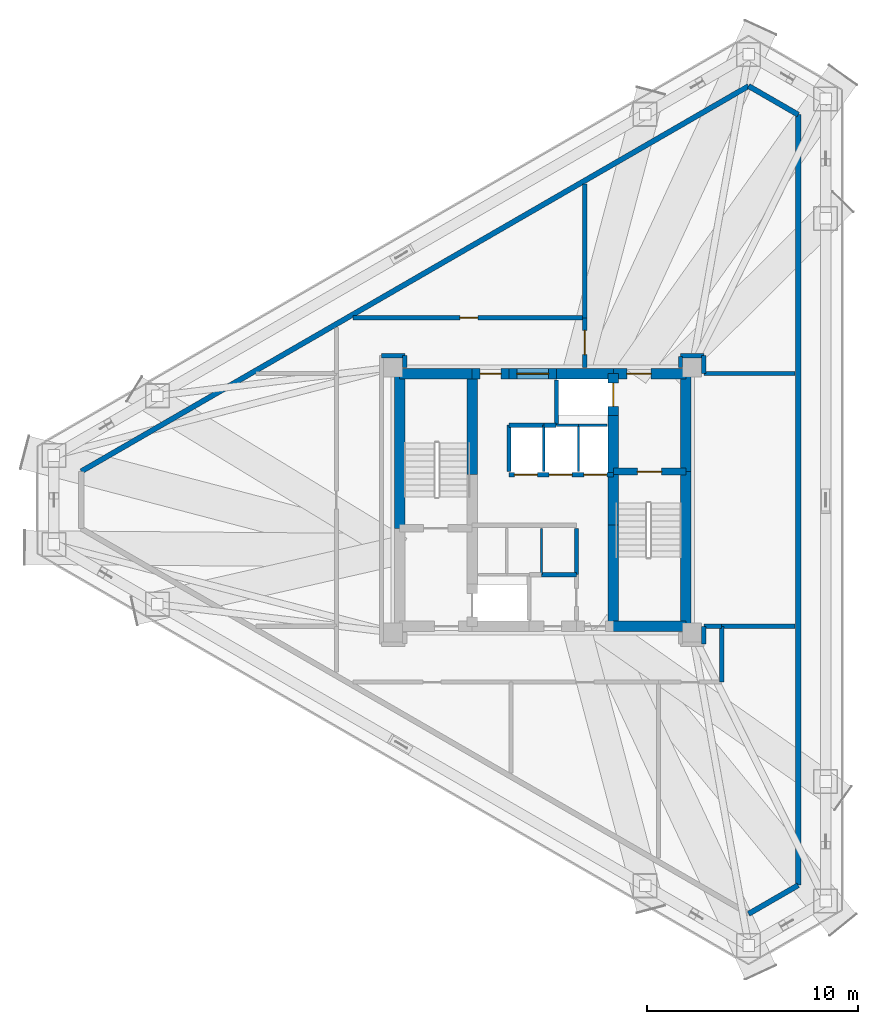
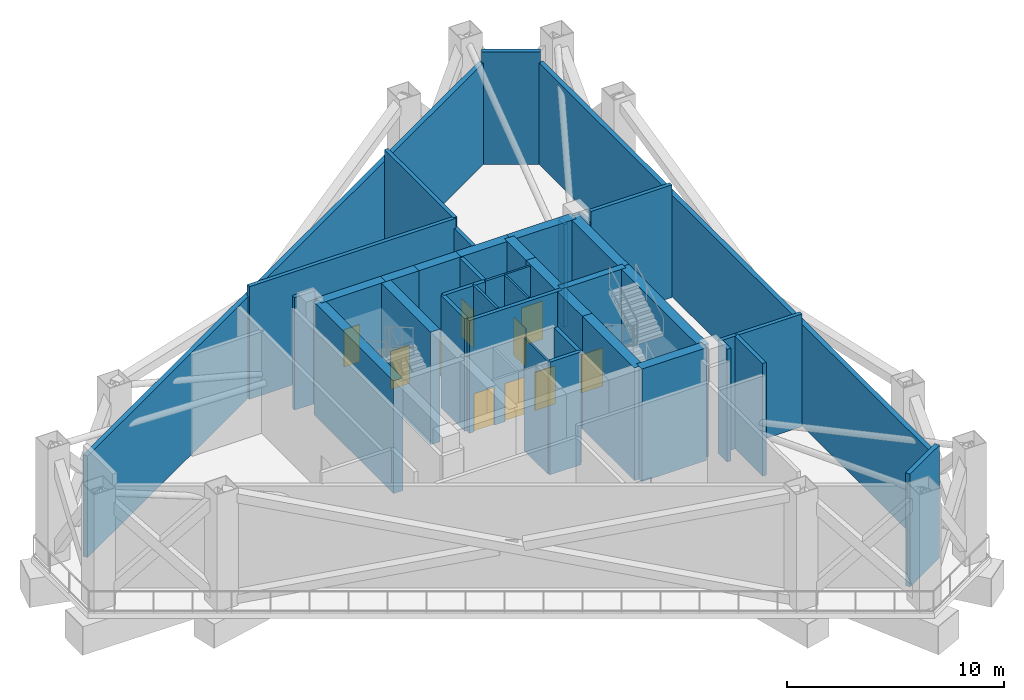
# One storey, part 4 of 7: 44 walls, 10 doors, 10 openings.
"""IFC4 building model written with IfcOpenShell, lengths in metres."""

import ifcopenshell
import ifcopenshell.guid

model = None  # the IFC model being written
_history = None  # IfcOwnerHistory: only IFC2X3 demands one
_inside = {}  # id of a spatial element -> (the spatial element, [elements in it])
_under = {}  # id of a project, library or spatial element -> (it, [spatial elements below it])
_declared = {}  # id of a project -> (the project, [libraries it declares])
_typed = {}  # id of a type object -> (the type object, [elements of that type])
_made_of = {}  # id of a material, layer set ... -> (it, [elements and type objects made of it])


def new_model(schema):
    """Start an empty IFC model of exactly this schema.

    Asked for "IFC4X3", IfcOpenShell would pick the latest addendum, in which some entities
    have other attributes; the version numbers below select the first issue.
    IFC2X3 requires an IfcOwnerHistory on every rooted entity: one is made here for all.
    """
    global model, _history
    if schema == "IFC4X3":
        model = ifcopenshell.file(schema_version=(4, 3, 0, 0))
    else:
        model = ifcopenshell.file(schema=schema)
    _inside.clear()
    _under.clear()
    _declared.clear()
    _typed.clear()
    _made_of.clear()
    _history = None
    if model.schema == "IFC2X3":
        org = make("IfcOrganization", Name="unknown")
        user = make(
            "IfcPersonAndOrganization",
            ThePerson=make("IfcPerson", FamilyName="unknown"),
            TheOrganization=org,
        )
        app = make(
            "IfcApplication",
            ApplicationDeveloper=org,
            Version="unknown",
            ApplicationFullName="unknown",
            ApplicationIdentifier="unknown",
        )
        _history = make(
            "IfcOwnerHistory",
            OwningUser=user,
            OwningApplication=app,
            ChangeAction="ADDED",
            CreationDate=0,
        )
    return model


def make(cls, **values):
    """One entity of the class cls with the attributes given. An attribute that is None is left unset."""
    return model.create_entity(
        cls, **{name: value for name, value in values.items() if value is not None}
    )


def rooted(cls, **values):
    """An entity with a GlobalId (a new one), such as an element, a storey or a relation."""
    return make(cls, GlobalId=ifcopenshell.guid.new(), OwnerHistory=_history, **values)


def si_unit(unit_type, name, prefix=None):
    """IfcSIUnit, for example si_unit("LENGTHUNIT", "METRE", prefix="MILLI")."""
    return make("IfcSIUnit", UnitType=unit_type, Prefix=prefix, Name=name)


def assignment(units):
    """IfcUnitAssignment: the units of a project."""
    return None if units is None else make("IfcUnitAssignment", Units=units)


def point(xyz):
    """IfcCartesianPoint."""
    return None if xyz is None else make("IfcCartesianPoint", Coordinates=xyz)


def direction(xyz):
    """IfcDirection."""
    return None if xyz is None else make("IfcDirection", DirectionRatios=xyz)


def frame(location, z_axis=None, x_axis=None):
    """IfcAxis2Placement3D, a coordinate frame: its origin and axes. An axis left out is left unset."""
    return make(
        "IfcAxis2Placement3D",
        Location=point(location),
        Axis=direction(z_axis),
        RefDirection=direction(x_axis),
    )


def frame_2d(location, x_axis=None):
    """IfcAxis2Placement2D, a coordinate frame in the plane: its origin and x axis."""
    return make(
        "IfcAxis2Placement2D", Location=point(location), RefDirection=direction(x_axis)
    )


def origin():
    """The frame at (0, 0, 0) with its axes left unset."""
    return frame((0.0, 0.0, 0.0))


def place(relative_to, where):
    """IfcLocalPlacement: puts the frame where relative to a parent placement (None: the world)."""
    return make(
        "IfcLocalPlacement", PlacementRelTo=relative_to, RelativePlacement=where
    )


def context(
    kind, dimensions, precision=None, world=None, true_north=None, identifier=None
):
    """IfcGeometricRepresentationContext, for example the 3D "Model" context."""
    return make(
        "IfcGeometricRepresentationContext",
        ContextIdentifier=identifier,
        ContextType=kind,
        CoordinateSpaceDimension=dimensions,
        Precision=precision,
        WorldCoordinateSystem=world,
        TrueNorth=true_north,
    )


def subcontext(parent, identifier, kind, view, scale=None):
    """IfcGeometricRepresentationSubContext, for example "Body" below "Model"."""
    return make(
        "IfcGeometricRepresentationSubContext",
        ContextIdentifier=identifier,
        ContextType=kind,
        ParentContext=parent,
        TargetScale=scale,
        TargetView=view,
    )


def project(units=None, contexts=None):
    """IfcProject with its units and contexts."""
    return rooted(
        "IfcProject",
        Name="project",
        RepresentationContexts=contexts,
        UnitsInContext=assignment(units),
    )


def spatial(cls, under=None, at=None, **own):
    """A site, building, storey or space (cls), placed at a placement, below another one or the project."""
    s = rooted(cls, ObjectPlacement=at, **own)
    if under is not None:
        _under.setdefault(under.id(), (under, []))[1].append(s)
    return s


def profile(cls, at=None, kind="AREA", **sizes):
    """A parametric profile (cls). Its sizes go by their IFC names, for example OverallWidth=200.0."""
    return make(cls, ProfileType=kind, Position=at, **sizes)


def rectangle(**sizes):
    """IfcRectangleProfileDef."""
    return profile("IfcRectangleProfileDef", **sizes)


def extrude(swept, where, along, depth):
    """IfcExtrudedAreaSolid: the profile swept, set in the frame where, extruded along a direction by depth."""
    return make(
        "IfcExtrudedAreaSolid",
        SweptArea=swept,
        Position=where,
        ExtrudedDirection=direction(along),
        Depth=depth,
    )


def shape(context_of_items, identifier, shape_type, items):
    """IfcShapeRepresentation: the items that make up one representation, for example the "Body"."""
    return make(
        "IfcShapeRepresentation",
        ContextOfItems=context_of_items,
        RepresentationIdentifier=identifier,
        RepresentationType=shape_type,
        Items=items,
    )


def material(Name=None, Category=None):
    """IfcMaterial."""
    return make("IfcMaterial", Name=Name, Category=Category)


def layer(
    of_material, thickness, ventilated=None, Name=None, Category=None, Priority=None
):
    """IfcMaterialLayer: one layer of a wall or slab, of a material (None: an air gap)."""
    return make(
        "IfcMaterialLayer",
        Material=of_material,
        LayerThickness=thickness,
        IsVentilated=ventilated,
        Name=Name,
        Category=Category,
        Priority=Priority,
    )


def layer_set(layers, Name=None):
    """IfcMaterialLayerSet."""
    return make("IfcMaterialLayerSet", MaterialLayers=layers, LayerSetName=Name)


def made_of(thing, what):
    """Note that an element or type object is made of a material, layer set ...; save() writes the relation."""
    if what is not None:
        _made_of.setdefault(what.id(), (what, []))[1].append(thing)
    return thing


def type_object(cls, material=None, **own):
    """A type object (cls), such as IfcWallType, which elements share."""
    return made_of(rooted(cls, **own), material)


def element(
    cls,
    number,
    at=None,
    inside=None,
    cuts=None,
    type_object=None,
    material=None,
    context=None,
    identifier="Body",
    shape_type=None,
    held_by="IfcProductDefinitionShape",
    body=None,
    shapes=None,
    **own,
):
    """One element of the class cls, such as IfcWall. Its Tag is "e" and its number.

    at: its placement. inside: the storey or other place that contains it. cuts: it is an
    opening in that element (IfcRelVoidsElement). A single representation is given by context,
    identifier, shape_type and body (its items); several are given by shapes. held_by: the class
    of the entity that holds the representations. save() writes the other relations.
    """
    e = rooted(cls, Tag="e%d" % number, ObjectPlacement=at, **own)
    if body is not None:
        shapes = [shape(context, identifier, shape_type, body)]
    if shapes is not None:
        e.Representation = make(held_by, Representations=shapes)
    if inside is not None:
        _inside.setdefault(inside.id(), (inside, []))[1].append(e)
    if cuts is not None:
        rooted(
            "IfcRelVoidsElement", RelatingBuildingElement=cuts, RelatedOpeningElement=e
        )
    if type_object is not None:
        _typed.setdefault(type_object.id(), (type_object, []))[1].append(e)
    return made_of(e, material)


def fill(opening, filler):
    """IfcRelFillsElement: the door or window that sits in an opening."""
    return rooted(
        "IfcRelFillsElement",
        RelatingOpeningElement=opening,
        RelatedBuildingElement=filler,
    )


def aggregate(whole, parts):
    """IfcRelAggregates: a whole, such as a stair, and the parts it consists of."""
    return rooted("IfcRelAggregates", RelatingObject=whole, RelatedObjects=parts)


def save(model, path):
    """Write the relations noted so far, then the file.

    IfcRelAggregates (storeys below a building ...), IfcRelContainedInSpatialStructure (elements
    in a storey), IfcRelDefinesByType, IfcRelAssociatesMaterial and IfcRelDeclares: one each for
    every whole, place, type object, material and project.
    """
    for whole, parts in _under.values():
        aggregate(whole, parts)
    for where, things in _inside.values():
        rooted(
            "IfcRelContainedInSpatialStructure",
            RelatedElements=things,
            RelatingStructure=where,
        )
    for kind, things in _typed.values():
        rooted("IfcRelDefinesByType", RelatedObjects=things, RelatingType=kind)
    for what, things in _made_of.values():
        rooted("IfcRelAssociatesMaterial", RelatedObjects=things, RelatingMaterial=what)
    for by, libraries in _declared.values():
        rooted("IfcRelDeclares", RelatingContext=by, RelatedDefinitions=libraries)
    model.write(path)


model = new_model("IFC4")

# Units and contexts
model_context = context("Model", 3, precision=1e-05, world=origin(), true_north=direction((0.0, 1.0)))
body_context = subcontext(model_context, "Body", "Model", "MODEL_VIEW")
ifc_project = project(units=[si_unit("LENGTHUNIT", "METRE"), si_unit("AREAUNIT", "SQUARE_METRE"), si_unit("VOLUMEUNIT", "CUBIC_METRE"), si_unit("PLANEANGLEUNIT", "RADIAN"), si_unit("MASSUNIT", "GRAM", prefix="KILO")], contexts=[model_context])

# Site, building, storey
site_placement = place(None, origin())
site = spatial("IfcSite", under=ifc_project, at=site_placement, CompositionType="ELEMENT")
building_placement = place(site_placement, origin())
building = spatial("IfcBuilding", under=site, at=building_placement, Name="Mersakhor Tower and Convention Hall", CompositionType="ELEMENT")
storey_placement = place(building_placement, frame((0.0, 0.0, 66.89990234375)))
storey = spatial("IfcBuildingStorey", under=building, at=storey_placement, Name="L18", CompositionType="ELEMENT", Elevation=66.89990234375)

# Walls
ifc_material_1 = material(Name="Precast concrete C40/50", Category="concrete")
ifc_layer_1 = layer(ifc_material_1, 0.25)
ifc_layer_set_1 = layer_set([ifc_layer_1], Name="Precast concrete C40/50")
wall_type_1 = type_object("IfcWallType", Name="WL-EXT-250", PredefinedType="SOLIDWALL", material=ifc_layer_set_1)
wall_1_placement = place(storey_placement, frame((7.086669921875, 28.110107421875, 0.0), z_axis=(0.0, 0.0, 1.0), x_axis=(0.866023716119, 0.500002923111, 0.0)))
element("IfcWall", 1, at=wall_1_placement, inside=storey, type_object=wall_type_1, Name="L18 Set-Back Refuge and Plant Enclosure Wall 1", PredefinedType="SOLIDWALL", context=body_context, shape_type="SweptSolid", body=[
    extrude(rectangle(XDim=36.594970703125, YDim=0.25, at=frame_2d((18.29736328125, 0.0))), origin(), (0.0, 0.0, 1.0), 5.722900390625),
])
wall_2_placement = place(storey_placement, frame((38.77880859375, 46.40771484375, 0.0), z_axis=(0.0, 0.0, 1.0), x_axis=(0.865980815662, -0.500077220942, 0.0)))
element("IfcWall", 2, at=wall_2_placement, inside=storey, type_object=wall_type_1, Name="L18 Set-Back Refuge and Plant Enclosure Wall 2", PredefinedType="SOLIDWALL", context=body_context, shape_type="SweptSolid", body=[
    extrude(rectangle(XDim=2.72021484375, YDim=0.25, at=frame_2d((1.360107421875, 0.0))), origin(), (0.0, 0.0, 1.0), 6.35009765625),
])
wall_3_placement = place(storey_placement, frame((41.134521484375, 45.04736328125, 0.0), z_axis=(0.0, 0.0, 1.0), x_axis=(0.0, -1.0, 0.0)))
element("IfcWall", 3, at=wall_3_placement, inside=storey, type_object=wall_type_1, Name="L18 Set-Back Refuge and Plant Enclosure Wall 3", PredefinedType="SOLIDWALL", context=body_context, shape_type="SweptSolid", body=[
    extrude(rectangle(XDim=36.5947265625, YDim=0.25, at=frame_2d((18.29736328125, 0.0))), origin(), (0.0, 0.0, 1.0), 5.722900390625),
])
wall_4_placement = place(storey_placement, frame((41.134521484375, 8.45263671875, 0.0), z_axis=(0.0, 0.0, 1.0), x_axis=(-0.865980815662, -0.500077220942, 0.0)))
element("IfcWall", 4, at=wall_4_placement, inside=storey, type_object=wall_type_1, Name="L18 Set-Back Refuge and Plant Enclosure Wall 4", PredefinedType="SOLIDWALL", context=body_context, shape_type="SweptSolid", body=[
    extrude(rectangle(XDim=2.72021484375, YDim=0.25, at=frame_2d((1.360107421875, 0.0))), origin(), (0.0, 0.0, 1.0), 6.35009765625),
])
ifc_material_2 = material(Name="Lightweight gypsum partition", Category="other")
ifc_layer_2 = layer(ifc_material_2, 0.10009765625)
ifc_layer_set_2 = layer_set([ifc_layer_2], Name="Lightweight gypsum partition")
wall_type_2 = type_object("IfcWallType", Name="WL-PRT-100", PredefinedType="PARTITIONING", material=ifc_layer_set_2)
wall_5_placement = place(storey_placement, frame((32.050048828125, 30.300048828125, 0.0), z_axis=(0.0, 0.0, 1.0), x_axis=(-1.0, 0.0, 0.0)))
element("IfcWall", 5, at=wall_5_placement, inside=storey, type_object=wall_type_2, Name="L18 Interior Partition Wall P-004", PredefinedType="PARTITIONING", context=body_context, shape_type="SweptSolid", body=[
    extrude(rectangle(XDim=1.35009765625, YDim=0.10009765625, at=frame_2d((0.675048828125, 0.0))), origin(), (0.0, 0.0, 1.0), 6.35009765625),
])
for number, where, z_axis, x_axis, name in (
    (6, (28.949951171875, 25.39990234375, 0.0), (0.0, 0.0, 1.0), (0.0, -1.0, 0.0), "L18 Interior Partition Wall P-008"),
    (7, (30.699951171875, 30.300048828125, 0.0), (0.0, 0.0, 1.0), (0.0, -1.0, 0.0), "L18 Interior Partition Wall P-016"),
):
    element("IfcWall", number, at=place(storey_placement, frame(where, z_axis=z_axis, x_axis=x_axis)), inside=storey, type_object=wall_type_2, Name=name, PredefinedType="PARTITIONING", context=body_context, shape_type="SweptSolid", body=[
        extrude(rectangle(XDim=2.199951171875, YDim=0.10009765625, at=frame_2d((1.10009765625, 0.0))), origin(), (0.0, 0.0, 1.0), 6.35009765625),
    ])
ifc_material_3 = material(Name="Gypsum board acoustic partition", Category="other")
ifc_layer_3 = layer(ifc_material_3, 0.125)
ifc_layer_set_3 = layer_set([ifc_layer_3], Name="Gypsum board acoustic partition")
wall_type_3 = type_object("IfcWallType", Name="WL-PRT-125", PredefinedType="PARTITIONING", material=ifc_layer_set_3)
wall_6_placement = place(storey_placement, frame((30.699951171875, 30.300048828125, 0.0), z_axis=(0.0, 0.0, 1.0), x_axis=(-1.0, 0.0, 0.0)))
element("IfcWall", 8, at=wall_6_placement, inside=storey, type_object=wall_type_3, Name="L18 Interior Partition Wall P-005", PredefinedType="PARTITIONING", context=body_context, shape_type="SweptSolid", body=[
    extrude(rectangle(XDim=1.050048828125, YDim=0.125, at=frame_2d((0.52490234375, 0.0))), origin(), (0.0, 0.0, 1.0), 6.35009765625),
])
wall_7_placement = place(storey_placement, frame((29.050048828125, 30.300048828125, 0.0), z_axis=(0.0, 0.0, 1.0), x_axis=(0.0, -1.0, 0.0)))
element("IfcWall", 9, at=wall_7_placement, inside=storey, type_object=wall_type_3, Name="L18 Interior Partition Wall P-013", PredefinedType="PARTITIONING", context=body_context, shape_type="SweptSolid", body=[
    extrude(rectangle(XDim=2.199951171875, YDim=0.125, at=frame_2d((1.10009765625, 0.0))), origin(), (0.0, 0.0, 1.0), 6.35009765625),
])

# Wall, openings, doors
ifc_material_4 = material(Name="Acoustic concrete blockwork and gypsum board", Category="masonry")
ifc_layer_4 = layer(ifc_material_4, 0.199951171875)
ifc_layer_set_4 = layer_set([ifc_layer_4], Name="Acoustic concrete blockwork and gypsum board")
wall_type_4 = type_object("IfcWallType", Name="WL-PRT-200", PredefinedType="PARTITIONING", material=ifc_layer_set_4)
wall_8_placement = place(storey_placement, frame((27.39990234375, 27.949951171875, 0.0), z_axis=(0.0, 0.0, 1.0), x_axis=(1.0, 0.0, 0.0)))
wall_8 = element("IfcWall", 10, at=wall_8_placement, inside=storey, type_object=wall_type_4, Name="L18 Low-Rise Lift Bank Front Wall", PredefinedType="PARTITIONING", context=body_context, shape_type="SweptSolid", body=[
    extrude(rectangle(XDim=4.9501953125, YDim=0.199951171875, at=frame_2d((2.47509765625, 0.0))), origin(), (0.0, 0.0, 1.0), 6.35009765625),
])
opening_1_placement = place(wall_8_placement, frame((0.25, 0.0, 0.0)))
opening_1 = element("IfcOpeningElement", 11, at=opening_1_placement, cuts=wall_8, Name="Opening LD-P1", PredefinedType="OPENING", context=body_context, shape_type="SweptSolid", body=[
    extrude(rectangle(XDim=1.10009765625, YDim=2.14990234375, at=frame_2d((0.550048828125, 1.074951171875))), frame((0.0, 0.10986328125, 0.0), z_axis=(0.0, -1.0, 0.0), x_axis=(1.0, 0.0, 0.0)), (0.0, 0.0, 1.0), 0.219970703125),
])
opening_2_placement = place(wall_8_placement, frame((1.89990234375, 0.0, 0.0)))
opening_2 = element("IfcOpeningElement", 12, at=opening_2_placement, cuts=wall_8, Name="Opening LD-P2", PredefinedType="OPENING", context=body_context, shape_type="SweptSolid", body=[
    extrude(rectangle(XDim=1.10009765625, YDim=2.14990234375, at=frame_2d((0.550048828125, 1.074951171875))), frame((0.0, 0.10986328125, 0.0), z_axis=(0.0, -1.0, 0.0), x_axis=(1.0, 0.0, 0.0)), (0.0, 0.0, 1.0), 0.219970703125),
])
opening_3_placement = place(wall_8_placement, frame((3.550048828125, 0.0, 0.0)))
opening_3 = element("IfcOpeningElement", 13, at=opening_3_placement, cuts=wall_8, Name="Opening LD-P3", PredefinedType="OPENING", context=body_context, shape_type="SweptSolid", body=[
    extrude(rectangle(XDim=1.10009765625, YDim=2.14990234375, at=frame_2d((0.550048828125, 1.074951171875))), frame((0.0, 0.10986328125, 0.0), z_axis=(0.0, -1.0, 0.0), x_axis=(1.0, 0.0, 0.0)), (0.0, 0.0, 1.0), 0.219970703125),
])
ifc_material_5 = material(Name="Fire-rated brushed stainless steel sliding landing door", Category="steel")
door_type_1 = type_object("IfcDoorType", Name="DR-LIFT-SLD-110x215", OperationType="NOTDEFINED", PredefinedType="DOOR", material=ifc_material_5)
door_1_placement = place(opening_1_placement, origin())
door_1 = element("IfcDoor", 14, at=door_1_placement, inside=storey, type_object=door_type_1, Name="L18 Lift Landing Door LD-P1", OperationType="SLIDING_TO_LEFT", OverallHeight=2.14990234375, OverallWidth=1.10009765625, PredefinedType="DOOR", context=body_context, shape_type="SweptSolid", body=[
    extrude(rectangle(XDim=1.10009765625, YDim=2.14990234375, at=frame_2d((0.550048828125, 1.074951171875))), frame((0.0, 0.02490234375, 0.0), z_axis=(0.0, -1.0, 0.0), x_axis=(1.0, 0.0, 0.0)), (0.0, 0.0, 1.0), 0.050048828125),
])
fill(opening_1, door_1)
door_2_placement = place(opening_2_placement, origin())
door_2 = element("IfcDoor", 15, at=door_2_placement, inside=storey, type_object=door_type_1, Name="L18 Lift Landing Door LD-P2", OperationType="SLIDING_TO_LEFT", OverallHeight=2.14990234375, OverallWidth=1.10009765625, PredefinedType="DOOR", context=body_context, shape_type="SweptSolid", body=[
    extrude(rectangle(XDim=1.10009765625, YDim=2.14990234375, at=frame_2d((0.550048828125, 1.074951171875))), frame((0.0, 0.02490234375, 0.0), z_axis=(0.0, -1.0, 0.0), x_axis=(1.0, 0.0, 0.0)), (0.0, 0.0, 1.0), 0.050048828125),
])
fill(opening_2, door_2)
door_3_placement = place(opening_3_placement, origin())
door_3 = element("IfcDoor", 16, at=door_3_placement, inside=storey, type_object=door_type_1, Name="L18 Lift Landing Door LD-P3", OperationType="SLIDING_TO_LEFT", OverallHeight=2.14990234375, OverallWidth=1.10009765625, PredefinedType="DOOR", context=body_context, shape_type="SweptSolid", body=[
    extrude(rectangle(XDim=1.10009765625, YDim=2.14990234375, at=frame_2d((0.550048828125, 1.074951171875))), frame((0.0, 0.02490234375, 0.0), z_axis=(0.0, -1.0, 0.0), x_axis=(1.0, 0.0, 0.0)), (0.0, 0.0, 1.0), 0.050048828125),
])
fill(opening_3, door_3)

# Walls
wall_9_placement = place(storey_placement, frame((29.64990234375, 30.300048828125, 0.0), z_axis=(0.0, 0.0, 1.0), x_axis=(0.0, 1.0, 0.0)))
element("IfcWall", 17, at=wall_9_placement, inside=storey, type_object=wall_type_4, Name="L18 Interior Partition Wall P-006", PredefinedType="PARTITIONING", context=body_context, shape_type="SweptSolid", body=[
    extrude(rectangle(XDim=2.14990234375, YDim=0.199951171875, at=frame_2d((1.074951171875, 0.0))), origin(), (0.0, 0.0, 1.0), 6.35009765625),
])
wall_10_placement = place(storey_placement, frame((30.60009765625, 25.39990234375, 0.0), z_axis=(0.0, 0.0, 1.0), x_axis=(0.0, -1.0, 0.0)))
element("IfcWall", 18, at=wall_10_placement, inside=storey, type_object=wall_type_4, Name="L18 Interior Partition Wall P-010", PredefinedType="PARTITIONING", context=body_context, shape_type="SweptSolid", body=[
    extrude(rectangle(XDim=2.199951171875, YDim=0.199951171875, at=frame_2d((1.10009765625, 0.0))), origin(), (0.0, 0.0, 1.0), 6.35009765625),
])
for number, where, z_axis, x_axis, name in (
    (19, (30.60009765625, 23.199951171875, 0.0), (0.0, 0.0, 1.0), (-1.0, 0.0, 0.0), "L18 Interior Partition Wall P-011"),
    (20, (27.39990234375, 30.300048828125, 0.0), (0.0, 0.0, 1.0), (1.0, 0.0, 0.0), "L18 Interior Partition Wall P-012"),
):
    element("IfcWall", number, at=place(storey_placement, frame(where, z_axis=z_axis, x_axis=x_axis)), inside=storey, type_object=wall_type_4, Name=name, PredefinedType="PARTITIONING", context=body_context, shape_type="SweptSolid", body=[
        extrude(rectangle(XDim=1.650146484375, YDim=0.199951171875, at=frame_2d((0.8251953125, 0.0))), origin(), (0.0, 0.0, 1.0), 6.35009765625),
    ])
wall_11_placement = place(storey_placement, frame((27.39990234375, 28.10009765625, 0.0), z_axis=(0.0, 0.0, 1.0), x_axis=(0.0, 1.0, 0.0)))
element("IfcWall", 21, at=wall_11_placement, inside=storey, type_object=wall_type_4, Name="L18 Interior Partition Wall P-014", PredefinedType="PARTITIONING", context=body_context, shape_type="SweptSolid", body=[
    extrude(rectangle(XDim=2.199951171875, YDim=0.199951171875, at=frame_2d((1.10009765625, 0.0))), origin(), (0.0, 0.0, 1.0), 6.35009765625),
])
wall_12_placement = place(storey_placement, frame((29.050048828125, 30.300048828125, 0.0), z_axis=(0.0, 0.0, 1.0), x_axis=(1.0, 0.0, 0.0)))
element("IfcWall", 22, at=wall_12_placement, inside=storey, type_object=wall_type_4, Name="L18 Interior Partition Wall P-015", PredefinedType="PARTITIONING", context=body_context, shape_type="SweptSolid", body=[
    extrude(rectangle(XDim=0.570068359375, YDim=0.199951171875, at=frame_2d((0.28515625, 0.0))), origin(), (0.0, 0.0, 1.0), 6.35009765625),
])

# Wall, opening, door
wall_13_placement = place(storey_placement, frame((19.98388671875, 35.39990234375, 0.0), z_axis=(0.0, 0.0, 1.0), x_axis=(1.0, 0.0, 0.0)))
wall_13 = element("IfcWall", 23, at=wall_13_placement, inside=storey, type_object=wall_type_4, Name="L18 Interior Partition Wall P-018", PredefinedType="PARTITIONING", context=body_context, shape_type="SweptSolid", body=[
    extrude(rectangle(XDim=11.01611328125, YDim=0.199951171875, at=frame_2d((5.508056640625, 0.0))), origin(), (0.0, 0.0, 1.0), 6.35009765625),
])
opening_4_placement = place(wall_13_placement, frame((5.0830078125, 0.0, 0.0)))
opening_4 = element("IfcOpeningElement", 24, at=opening_4_placement, cuts=wall_13, Name="Opening SVD-01", PredefinedType="OPENING", context=body_context, shape_type="SweptSolid", body=[
    extrude(rectangle(XDim=0.85009765625, YDim=2.10009765625, at=frame_2d((0.425048828125, 1.050048828125))), frame((0.0, 0.10986328125, 0.0), z_axis=(0.0, -1.0, 0.0), x_axis=(1.0, 0.0, 0.0)), (0.0, 0.0, 1.0), 0.219970703125),
])
ifc_material_6 = material(Name="Fire-rated hardwood leaf and painted steel frame", Category="steel")
door_type_2 = type_object("IfcDoorType", Name="DR-INT-SVC-085x210", OperationType="NOTDEFINED", PredefinedType="DOOR", material=ifc_material_6)
door_4_placement = place(opening_4_placement, origin())
door_4 = element("IfcDoor", 25, at=door_4_placement, inside=storey, type_object=door_type_2, Name="L18 L18 Mechanical Plant and Refuge Corridor to Zone Air Handling Unit Plant Room Door", OperationType="SINGLE_SWING_LEFT", OverallHeight=2.10009765625, OverallWidth=0.85009765625, PredefinedType="DOOR", context=body_context, shape_type="SweptSolid", body=[
    extrude(rectangle(XDim=0.85009765625, YDim=2.10009765625, at=frame_2d((0.425048828125, 1.050048828125))), frame((0.0, 0.02490234375, 0.0), z_axis=(0.0, -1.0, 0.0), x_axis=(1.0, 0.0, 0.0)), (0.0, 0.0, 1.0), 0.050048828125),
])
fill(opening_4, door_4)

wall_14_placement = place(storey_placement, frame((31.0, 35.39990234375, 0.0), z_axis=(0.0, 0.0, 1.0), x_axis=(0.0, -1.0, 0.0)))
wall_14 = element("IfcWall", 26, at=wall_14_placement, inside=storey, type_object=wall_type_4, Name="L18 Interior Partition Wall P-019", PredefinedType="PARTITIONING", context=body_context, shape_type="SweptSolid", body=[
    extrude(rectangle(XDim=2.349853515625, YDim=0.199951171875, at=frame_2d((1.1748046875, 0.0))), origin(), (0.0, 0.0, 1.0), 5.79833984375),
])
opening_5_placement = place(wall_14_placement, frame((0.60009765625, 0.0, 0.0)))
opening_5 = element("IfcOpeningElement", 27, at=opening_5_placement, cuts=wall_14, Name="Opening SD-01", PredefinedType="OPENING", context=body_context, shape_type="SweptSolid", body=[
    extrude(rectangle(XDim=1.14990234375, YDim=2.14990234375, at=frame_2d((0.574951171875, 1.074951171875))), frame((0.0, 0.10986328125, 0.0), z_axis=(0.0, -1.0, 0.0), x_axis=(1.0, 0.0, 0.0)), (0.0, 0.0, 1.0), 0.219970703125),
])
ifc_material_7 = material(Name="Fire-rated hardwood leaf and painted steel frame", Category="steel")
door_type_3 = type_object("IfcDoorType", Name="DR-INT-STAIR-115x215", OperationType="NOTDEFINED", PredefinedType="DOOR", material=ifc_material_7)
door_5_placement = place(opening_5_placement, origin())
door_5 = element("IfcDoor", 28, at=door_5_placement, inside=storey, type_object=door_type_3, Name="L18 L18 Mechanical Plant and Refuge Corridor to Pressurised Fire Refuge Area North Door", OperationType="SINGLE_SWING_RIGHT", OverallHeight=2.14990234375, OverallWidth=1.14990234375, PredefinedType="DOOR", context=body_context, shape_type="SweptSolid", body=[
    extrude(rectangle(XDim=1.14990234375, YDim=2.14990234375, at=frame_2d((0.574951171875, 1.074951171875))), frame((0.0, 0.02490234375, 0.0), z_axis=(0.0, -1.0, 0.0), x_axis=(1.0, 0.0, 0.0)), (0.0, 0.0, 1.0), 0.050048828125),
])
fill(opening_5, door_5)

# Walls
wall_15_placement = place(storey_placement, frame((22.449951171875, 33.050048828125, 0.0), z_axis=(0.0, 0.0, 1.0), x_axis=(0.0, 1.0, 0.0)))
element("IfcWall", 29, at=wall_15_placement, inside=storey, type_object=wall_type_4, Name="L18 Interior Partition Wall P-020", PredefinedType="PARTITIONING", context=body_context, shape_type="SweptSolid", body=[
    extrude(rectangle(XDim=0.550048828125, YDim=0.199951171875, at=frame_2d((0.27490234375, 0.0))), origin(), (0.0, 0.0, 1.0), 5.79833984375),
])
wall_16_placement = place(storey_placement, frame((22.449951171875, 33.60009765625, 0.0), z_axis=(0.0, 0.0, 1.0), x_axis=(-1.0, 0.0, 0.0)))
element("IfcWall", 30, at=wall_16_placement, inside=storey, type_object=wall_type_4, Name="L18 Interior Partition Wall P-021", PredefinedType="PARTITIONING", context=body_context, shape_type="SweptSolid", body=[
    extrude(rectangle(XDim=1.099853515625, YDim=0.199951171875, at=frame_2d((0.5498046875, 0.0))), origin(), (0.0, 0.0, 1.0), 6.35009765625),
])
for number, where, z_axis, x_axis, name in (
    (31, (36.64990234375, 19.89990234375, 0.0), (0.0, 0.0, 1.0), (0.0, 1.0, 0.0), "L18 Interior Partition Wall P-027"),
    (32, (36.64990234375, 20.75, 0.0), (0.0, 0.0, 1.0), (1.0, 0.0, 0.0), "L18 Interior Partition Wall P-028"),
):
    element("IfcWall", number, at=place(storey_placement, frame(where, z_axis=z_axis, x_axis=x_axis)), inside=storey, type_object=wall_type_4, Name=name, PredefinedType="PARTITIONING", context=body_context, shape_type="SweptSolid", body=[
        extrude(rectangle(XDim=0.85009765625, YDim=0.199951171875, at=frame_2d((0.425048828125, 0.0))), origin(), (0.0, 0.0, 1.0), 6.35009765625),
    ])
wall_17_placement = place(storey_placement, frame((37.5, 20.75, 0.0), z_axis=(0.0, 0.0, 1.0), x_axis=(0.0, -1.0, 0.0)))
element("IfcWall", 33, at=wall_17_placement, inside=storey, type_object=wall_type_4, Name="L18 Interior Partition Wall P-029", PredefinedType="PARTITIONING", context=body_context, shape_type="SweptSolid", body=[
    extrude(rectangle(XDim=2.64990234375, YDim=0.199951171875, at=frame_2d((1.324951171875, 0.0))), origin(), (0.0, 0.0, 1.0), 6.35009765625),
])
wall_18_placement = place(storey_placement, frame((36.64990234375, 32.75, 0.0), z_axis=(0.0, 0.0, 1.0), x_axis=(0.0, 1.0, 0.0)))
element("IfcWall", 34, at=wall_18_placement, inside=storey, type_object=wall_type_4, Name="L18 Interior Partition Wall P-036", PredefinedType="PARTITIONING", context=body_context, shape_type="SweptSolid", body=[
    extrude(rectangle(XDim=0.85009765625, YDim=0.199951171875, at=frame_2d((0.425048828125, 0.0))), origin(), (0.0, 0.0, 1.0), 5.722900390625),
])
wall_19_placement = place(storey_placement, frame((36.64990234375, 33.60009765625, 0.0), z_axis=(0.0, 0.0, 1.0), x_axis=(-1.0, 0.0, 0.0)))
element("IfcWall", 35, at=wall_19_placement, inside=storey, type_object=wall_type_4, Name="L18 Interior Partition Wall P-037", PredefinedType="PARTITIONING", context=body_context, shape_type="SweptSolid", body=[
    extrude(rectangle(XDim=1.099853515625, YDim=0.199951171875, at=frame_2d((0.5498046875, 0.0))), origin(), (0.0, 0.0, 1.0), 5.722900390625),
])
wall_20_placement = place(storey_placement, frame((35.550048828125, 33.570068359375, 0.0), z_axis=(0.0, 0.0, 1.0), x_axis=(0.0, -1.0, 0.0)))
element("IfcWall", 36, at=wall_20_placement, inside=storey, type_object=wall_type_4, Name="L18 Interior Partition Wall P-038", PredefinedType="PARTITIONING", context=body_context, shape_type="SweptSolid", body=[
    extrude(rectangle(XDim=0.52001953125, YDim=0.199951171875, at=frame_2d((0.260009765625, 0.0))), origin(), (0.0, 0.0, 1.0), 5.79833984375),
])
wall_21_placement = place(storey_placement, frame((31.0, 35.39990234375, 0.0), z_axis=(0.0, 0.0, 1.0), x_axis=(0.0, 1.0, 0.0)))
element("IfcWall", 37, at=wall_21_placement, inside=storey, type_object=wall_type_4, Name="L18 Interior Partition Wall P-039", PredefinedType="PARTITIONING", context=body_context, shape_type="SweptSolid", body=[
    extrude(rectangle(XDim=6.344482421875, YDim=0.199951171875, at=frame_2d((3.17236328125, 0.0))), origin(), (0.0, 0.0, 1.0), 6.35009765625),
])
wall_22_placement = place(storey_placement, frame((40.985595703125, 32.75, 0.0), z_axis=(0.0, 0.0, 1.0), x_axis=(-1.0, 0.0, 0.0)))
element("IfcWall", 38, at=wall_22_placement, inside=storey, type_object=wall_type_4, Name="L18 Interior Partition Wall P-040", PredefinedType="PARTITIONING", context=body_context, shape_type="SweptSolid", body=[
    extrude(rectangle(XDim=4.335693359375, YDim=0.199951171875, at=frame_2d((2.16796875, 0.0))), origin(), (0.0, 0.0, 1.0), 6.35009765625),
])
wall_23_placement = place(storey_placement, frame((37.5, 20.75, 0.0), z_axis=(0.0, 0.0, 1.0), x_axis=(1.0, 0.0, 0.0)))
element("IfcWall", 39, at=wall_23_placement, inside=storey, type_object=wall_type_4, Name="L18 Interior Partition Wall P-045", PredefinedType="PARTITIONING", context=body_context, shape_type="SweptSolid", body=[
    extrude(rectangle(XDim=3.485595703125, YDim=0.199951171875, at=frame_2d((1.74267578125, 0.0))), origin(), (0.0, 0.0, 1.0), 6.35009765625),
])

# Wall, opening, door
ifc_material_8 = material(Name="Concrete C50/60", Category="concrete")
ifc_layer_5 = layer(ifc_material_8, 0.35009765625)
ifc_layer_set_5 = layer_set([ifc_layer_5], Name="Concrete C50/60")
wall_type_5 = type_object("IfcWallType", Name="WL-SHR-350", PredefinedType="SHEAR", material=ifc_layer_set_5)
wall_24_placement = place(storey_placement, frame((32.35009765625, 28.10009765625, 0.0), z_axis=(0.0, 0.0, 1.0), x_axis=(1.0, 0.0, 0.0)))
wall_24 = element("IfcWall", 40, at=wall_24_placement, inside=storey, type_object=wall_type_5, Name="L18 Core Wall CS-ST2-N", PredefinedType="SHEAR", context=body_context, shape_type="SweptSolid", body=[
    extrude(rectangle(XDim=3.449951171875, YDim=0.35009765625, at=frame_2d((1.72509765625, 0.0))), origin(), (0.0, 0.0, 1.0), 6.35009765625),
])
opening_6_placement = place(wall_24_placement, frame((1.14990234375, 0.0, 0.0)))
opening_6 = element("IfcOpeningElement", 41, at=opening_6_placement, cuts=wall_24, Name="Opening SD-01", PredefinedType="OPENING", context=body_context, shape_type="SweptSolid", body=[
    extrude(rectangle(XDim=1.14990234375, YDim=2.14990234375, at=frame_2d((0.574951171875, 1.074951171875))), frame((0.0, 0.18505859375, 0.0), z_axis=(0.0, -1.0, 0.0), x_axis=(1.0, 0.0, 0.0)), (0.0, 0.0, 1.0), 0.3701171875),
])
door_6_placement = place(opening_6_placement, origin())
door_6 = element("IfcDoor", 42, at=door_6_placement, inside=storey, type_object=door_type_3, Name="L18 Exit Stair ST-2 Enclosure Door", OperationType="SINGLE_SWING_RIGHT", OverallHeight=2.14990234375, OverallWidth=1.14990234375, PredefinedType="DOOR", context=body_context, shape_type="SweptSolid", body=[
    extrude(rectangle(XDim=1.14990234375, YDim=2.14990234375, at=frame_2d((0.574951171875, 1.074951171875))), frame((0.0, 0.02490234375, 0.0), z_axis=(0.0, -1.0, 0.0), x_axis=(1.0, 0.0, 0.0)), (0.0, 0.0, 1.0), 0.050048828125),
])
fill(opening_6, door_6)

# Walls
ifc_material_9 = material(Name="Concrete C70/85", Category="concrete")
ifc_layer_6 = layer(ifc_material_9, 0.5)
ifc_layer_set_6 = layer_set([ifc_layer_6], Name="Concrete C70/85")
wall_type_6 = type_object("IfcWallType", Name="WL-SHR-500", PredefinedType="SHEAR", material=ifc_layer_set_6)
wall_25_placement = place(storey_placement, frame((22.199951171875, 25.39990234375, 0.0), z_axis=(0.0, 0.0, 1.0), x_axis=(0.0, 1.0, 0.0)))
element("IfcWall", 43, at=wall_25_placement, inside=storey, type_object=wall_type_6, Name="L18 Core Wall CW-W2", PredefinedType="SHEAR", context=body_context, shape_type="SweptSolid", body=[
    extrude(rectangle(XDim=7.35009765625, YDim=0.5, at=frame_2d((3.675048828125, 0.0))), origin(), (0.0, 0.0, 1.0), 6.35009765625),
])
wall_26_placement = place(storey_placement, frame((22.199951171875, 32.75, 0.0), z_axis=(0.0, 0.0, 1.0), x_axis=(1.0, 0.0, 0.0)))
element("IfcWall", 44, at=wall_26_placement, inside=storey, type_object=wall_type_6, Name="L18 Core Wall CW-N1", PredefinedType="SHEAR", context=body_context, shape_type="SweptSolid", body=[
    extrude(rectangle(XDim=3.449951171875, YDim=0.5, at=frame_2d((1.72509765625, 0.0))), origin(), (0.0, 0.0, 1.0), 6.35009765625),
])

# Wall, opening, door
wall_27_placement = place(storey_placement, frame((25.64990234375, 32.75, 0.0), z_axis=(0.0, 0.0, 1.0), x_axis=(1.0, 0.0, 0.0)))
wall_27 = element("IfcWall", 45, at=wall_27_placement, inside=storey, type_object=wall_type_6, Name="L18 Core Wall CW-N2A", PredefinedType="SHEAR", context=body_context, shape_type="SweptSolid", body=[
    extrude(rectangle(XDim=1.75, YDim=0.5, at=frame_2d((0.875, 0.0))), origin(), (0.0, 0.0, 1.0), 6.35009765625),
])
opening_7_placement = place(wall_27_placement, frame((0.375, 0.0, 0.0)))
opening_7 = element("IfcOpeningElement", 46, at=opening_7_placement, cuts=wall_27, Name="Opening CFD-01", PredefinedType="OPENING", context=body_context, shape_type="SweptSolid", body=[
    extrude(rectangle(XDim=1.0, YDim=2.14990234375, at=frame_2d((0.5, 1.074951171875))), frame((0.0, 0.260009765625, 0.0), z_axis=(0.0, -1.0, 0.0), x_axis=(1.0, 0.0, 0.0)), (0.0, 0.0, 1.0), 0.52001953125),
])
ifc_material_10 = material(Name="Fire-rated hardwood leaf and painted steel frame", Category="steel")
door_type_4 = type_object("IfcDoorType", Name="DR-CORE-FD-100x215", OperationType="NOTDEFINED", PredefinedType="DOOR", material=ifc_material_10)
door_7_placement = place(opening_7_placement, origin())
door_7 = element("IfcDoor", 47, at=door_7_placement, inside=storey, type_object=door_type_4, Name="L18 Lift Lobby North Corridor Door", OperationType="SINGLE_SWING_LEFT", OverallHeight=2.14990234375, OverallWidth=1.0, PredefinedType="DOOR", context=body_context, shape_type="SweptSolid", body=[
    extrude(rectangle(XDim=1.0, YDim=2.14990234375, at=frame_2d((0.5, 1.074951171875))), frame((0.0, 0.02490234375, 0.0), z_axis=(0.0, -1.0, 0.0), x_axis=(1.0, 0.0, 0.0)), (0.0, 0.0, 1.0), 0.050048828125),
])
fill(opening_7, door_7)

wall_28_placement = place(storey_placement, frame((27.39990234375, 32.75, 0.0), z_axis=(0.0, 0.0, 1.0), x_axis=(1.0, 0.0, 0.0)))
wall_28 = element("IfcWall", 48, at=wall_28_placement, inside=storey, type_object=wall_type_6, Name="L18 Core Wall CW-N2B", PredefinedType="SHEAR", context=body_context, shape_type="SweptSolid", body=[
    extrude(rectangle(XDim=2.25, YDim=0.5, at=frame_2d((1.125, 0.0))), origin(), (0.0, 0.0, 1.0), 6.35009765625),
])
opening_8_placement = place(wall_28_placement, frame((0.375, 0.0, 0.0)))
opening_8 = element("IfcOpeningElement", 49, at=opening_8_placement, cuts=wall_28, Name="Opening LD-LOB", PredefinedType="OPENING", context=body_context, shape_type="SweptSolid", body=[
    extrude(rectangle(XDim=1.5, YDim=2.199951171875, at=frame_2d((0.75, 1.10009765625))), frame((0.0, 0.260009765625, 0.0), z_axis=(0.0, -1.0, 0.0), x_axis=(1.0, 0.0, 0.0)), (0.0, 0.0, 1.0), 0.52001953125),
])
ifc_material_11 = material(Name="Fire-rated hardwood leaf and painted steel frame", Category="steel")
door_type_5 = type_object("IfcDoorType", Name="DR-INT-LOB-150x220", OperationType="NOTDEFINED", PredefinedType="DOOR", material=ifc_material_11)
door_8_placement = place(opening_8_placement, origin())
door_8 = element("IfcDoor", 50, at=door_8_placement, inside=storey, type_object=door_type_5, Name="L18 Central Passenger Lift Lobby to L18 Mechanical Plant and Refuge Corridor Door", OperationType="DOUBLE_DOOR_SINGLE_SWING", OverallHeight=2.199951171875, OverallWidth=1.5, PredefinedType="DOOR", context=body_context, shape_type="SweptSolid", body=[
    extrude(rectangle(XDim=1.5, YDim=2.199951171875, at=frame_2d((0.75, 1.10009765625))), frame((0.0, 0.02490234375, 0.0), z_axis=(0.0, -1.0, 0.0), x_axis=(1.0, 0.0, 0.0)), (0.0, 0.0, 1.0), 0.050048828125),
])
fill(opening_8, door_8)

# Wall
wall_29_placement = place(storey_placement, frame((29.64990234375, 32.75, 0.0), z_axis=(0.0, 0.0, 1.0), x_axis=(1.0, 0.0, 0.0)))
element("IfcWall", 51, at=wall_29_placement, inside=storey, type_object=wall_type_6, Name="L18 Core Wall CW-N3", PredefinedType="SHEAR", context=body_context, shape_type="SweptSolid", body=[
    extrude(rectangle(XDim=2.7001953125, YDim=0.5, at=frame_2d((1.35009765625, 0.0))), origin(), (0.0, 0.0, 1.0), 6.35009765625),
])

# Wall, opening, door
wall_30_placement = place(storey_placement, frame((32.35009765625, 32.75, 0.0), z_axis=(0.0, 0.0, 1.0), x_axis=(1.0, 0.0, 0.0)))
wall_30 = element("IfcWall", 52, at=wall_30_placement, inside=storey, type_object=wall_type_6, Name="L18 Core Wall CW-N4", PredefinedType="SHEAR", context=body_context, shape_type="SweptSolid", body=[
    extrude(rectangle(XDim=3.449951171875, YDim=0.5, at=frame_2d((1.72509765625, 0.0))), origin(), (0.0, 0.0, 1.0), 6.35009765625),
])
opening_9_placement = place(wall_30_placement, frame((0.64990234375, 0.0, 0.0)))
opening_9 = element("IfcOpeningElement", 53, at=opening_9_placement, cuts=wall_30, Name="Opening SD-01", PredefinedType="OPENING", context=body_context, shape_type="SweptSolid", body=[
    extrude(rectangle(XDim=1.14990234375, YDim=2.14990234375, at=frame_2d((0.574951171875, 1.074951171875))), frame((0.0, 0.260009765625, 0.0), z_axis=(0.0, -1.0, 0.0), x_axis=(1.0, 0.0, 0.0)), (0.0, 0.0, 1.0), 0.52001953125),
])
door_9_placement = place(opening_9_placement, origin())
door_9 = element("IfcDoor", 54, at=door_9_placement, inside=storey, type_object=door_type_3, Name="L18 Firefighting Lobby East Fire Door", OperationType="SINGLE_SWING_RIGHT", OverallHeight=2.14990234375, OverallWidth=1.14990234375, PredefinedType="DOOR", context=body_context, shape_type="SweptSolid", body=[
    extrude(rectangle(XDim=1.14990234375, YDim=2.14990234375, at=frame_2d((0.574951171875, 1.074951171875))), frame((0.0, 0.02490234375, 0.0), z_axis=(0.0, -1.0, 0.0), x_axis=(1.0, 0.0, 0.0)), (0.0, 0.0, 1.0), 0.050048828125),
])
fill(opening_9, door_9)

# Walls
wall_31_placement = place(storey_placement, frame((35.800048828125, 32.75, 0.0), z_axis=(0.0, 0.0, 1.0), x_axis=(0.0, -1.0, 0.0)))
element("IfcWall", 55, at=wall_31_placement, inside=storey, type_object=wall_type_6, Name="L18 Core Wall CW-E1", PredefinedType="SHEAR", context=body_context, shape_type="SweptSolid", body=[
    extrude(rectangle(XDim=4.64990234375, YDim=0.5, at=frame_2d((2.324951171875, 0.0))), origin(), (0.0, 0.0, 1.0), 6.35009765625),
])
wall_32_placement = place(storey_placement, frame((35.800048828125, 28.10009765625, 0.0), z_axis=(0.0, 0.0, 1.0), x_axis=(0.0, -1.0, 0.0)))
element("IfcWall", 56, at=wall_32_placement, inside=storey, type_object=wall_type_6, Name="L18 Core Wall CW-E2", PredefinedType="SHEAR", context=body_context, shape_type="SweptSolid", body=[
    extrude(rectangle(XDim=7.35009765625, YDim=0.5, at=frame_2d((3.675048828125, 0.0))), origin(), (0.0, 0.0, 1.0), 6.35009765625),
])
wall_33_placement = place(storey_placement, frame((35.800048828125, 20.75, 0.0), z_axis=(0.0, 0.0, 1.0), x_axis=(-1.0, 0.0, 0.0)))
element("IfcWall", 57, at=wall_33_placement, inside=storey, type_object=wall_type_6, Name="L18 Core Wall CW-S1", PredefinedType="SHEAR", context=body_context, shape_type="SweptSolid", body=[
    extrude(rectangle(XDim=3.449951171875, YDim=0.5, at=frame_2d((1.72509765625, 0.0))), origin(), (0.0, 0.0, 1.0), 6.35009765625),
])
for number, where, z_axis, x_axis, name in (
    (58, (25.64990234375, 27.949951171875, 0.0), (0.0, 0.0, 1.0), (0.0, 1.0, 0.0), "L18 Core Wall CS-W-ST1"),
    (59, (32.35009765625, 20.75, 0.0), (0.0, 0.0, 1.0), (0.0, 1.0, 0.0), "L18 Core Wall CS-E-ST2"),
):
    element("IfcWall", number, at=place(storey_placement, frame(where, z_axis=z_axis, x_axis=x_axis)), inside=storey, type_object=wall_type_6, Name=name, PredefinedType="SHEAR", context=body_context, shape_type="SweptSolid", body=[
        extrude(rectangle(XDim=4.800048828125, YDim=0.5, at=frame_2d((2.39990234375, 0.0))), origin(), (0.0, 0.0, 1.0), 6.35009765625),
    ])
wall_34_placement = place(storey_placement, frame((32.35009765625, 25.550048828125, 0.0), z_axis=(0.0, 0.0, 1.0), x_axis=(0.0, 1.0, 0.0)))
element("IfcWall", 60, at=wall_34_placement, inside=storey, type_object=wall_type_6, Name="L18 Core Wall CS-E-LOB", PredefinedType="SHEAR", context=body_context, shape_type="SweptSolid", body=[
    extrude(rectangle(XDim=2.39990234375, YDim=0.5, at=frame_2d((1.199951171875, 0.0))), origin(), (0.0, 0.0, 1.0), 6.35009765625),
])
wall_35_placement = place(storey_placement, frame((32.35009765625, 27.949951171875, 0.0), z_axis=(0.0, 0.0, 1.0), x_axis=(0.0, 1.0, 0.0)))
element("IfcWall", 61, at=wall_35_placement, inside=storey, type_object=wall_type_6, Name="L18 Core Wall CS-E-MID", PredefinedType="SHEAR", context=body_context, shape_type="SweptSolid", body=[
    extrude(rectangle(XDim=2.800048828125, YDim=0.5, at=frame_2d((1.39990234375, 0.0))), origin(), (0.0, 0.0, 1.0), 6.35009765625),
])

# Wall, opening, door
wall_36_placement = place(storey_placement, frame((32.35009765625, 30.75, 0.0), z_axis=(0.0, 0.0, 1.0), x_axis=(0.0, 1.0, 0.0)))
wall_36 = element("IfcWall", 62, at=wall_36_placement, inside=storey, type_object=wall_type_6, Name="L18 Core Wall CS-E-FFL", PredefinedType="SHEAR", context=body_context, shape_type="SweptSolid", body=[
    extrude(rectangle(XDim=2.0, YDim=0.5, at=frame_2d((1.0, 0.0))), origin(), (0.0, 0.0, 1.0), 6.35009765625),
])
opening_10_placement = place(wall_36_placement, frame((0.449951171875, 0.0, 0.0)))
opening_10 = element("IfcOpeningElement", 63, at=opening_10_placement, cuts=wall_36, Name="Opening LD-FFL2", PredefinedType="OPENING", context=body_context, shape_type="SweptSolid", body=[
    extrude(rectangle(XDim=1.10009765625, YDim=2.14990234375, at=frame_2d((0.550048828125, 1.074951171875))), frame((0.0, 0.260009765625, 0.0), z_axis=(0.0, -1.0, 0.0), x_axis=(1.0, 0.0, 0.0)), (0.0, 0.0, 1.0), 0.52001953125),
])
door_10_placement = place(opening_10_placement, origin())
door_10 = element("IfcDoor", 64, at=door_10_placement, inside=storey, type_object=door_type_1, Name="L18 Firefighting Lift Landing Door LD-FFL2", OperationType="SLIDING_TO_LEFT", OverallHeight=2.14990234375, OverallWidth=1.10009765625, PredefinedType="DOOR", context=body_context, shape_type="SweptSolid", body=[
    extrude(rectangle(XDim=1.10009765625, YDim=2.14990234375, at=frame_2d((0.550048828125, 1.074951171875))), frame((0.0, 0.02490234375, 0.0), z_axis=(0.0, -1.0, 0.0), x_axis=(1.0, 0.0, 0.0)), (0.0, 0.0, 1.0), 0.050048828125),
])
fill(opening_10, door_10)

save(model, "model.ifc")
